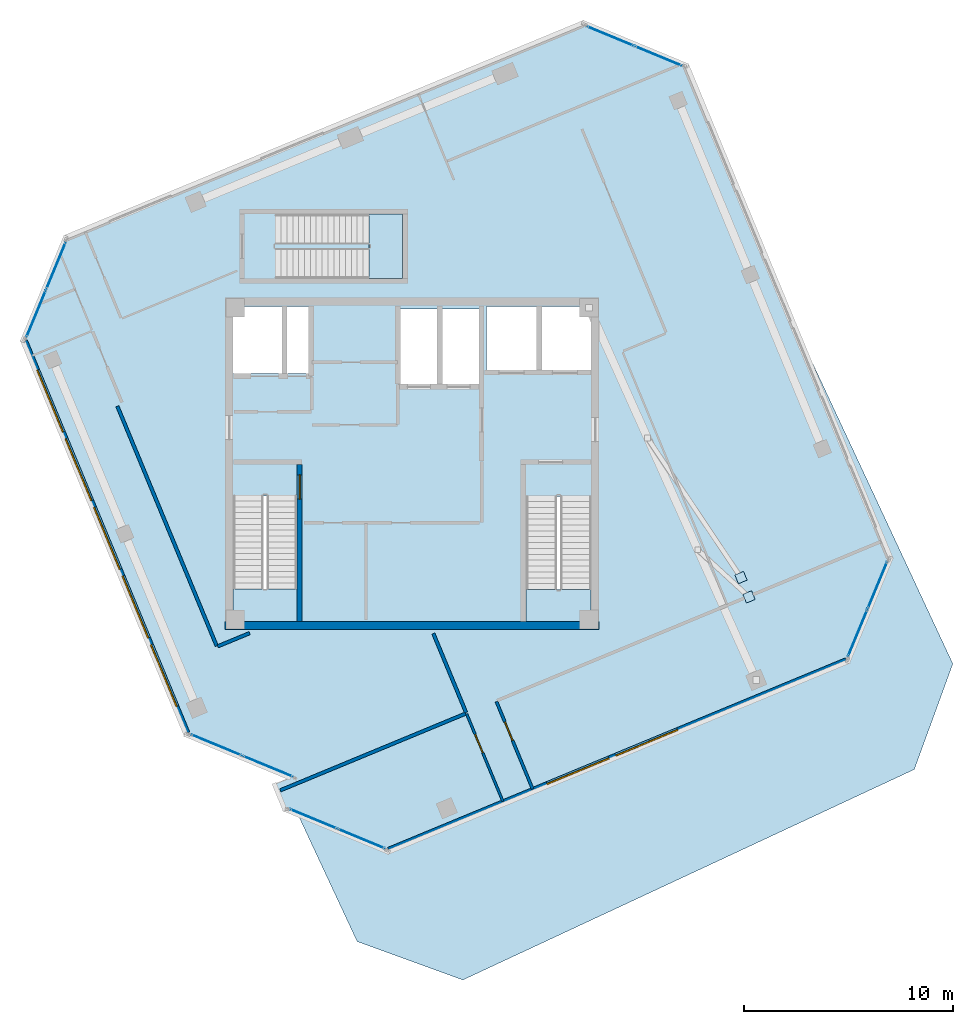
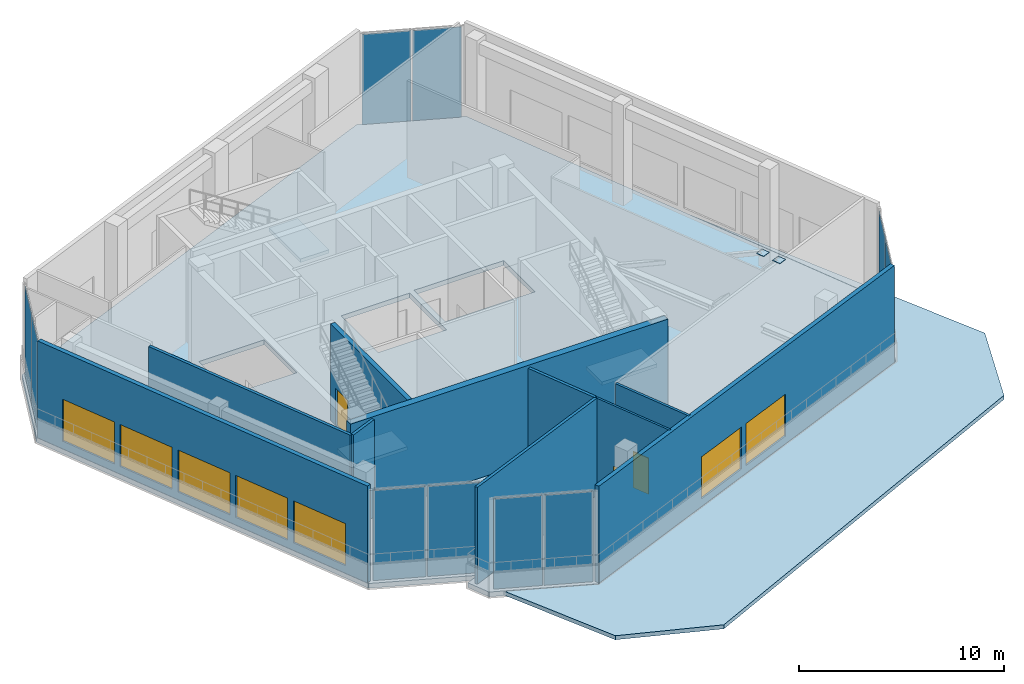
# One storey, part 7 of 16: 12 plates, 10 walls, 7 windows, 5 slabs, 3 doors, 10 openings, 8 elements without a shape of their own.
"""IFC4 building model written with IfcOpenShell, lengths in metres."""

from ifc_helpers import new_model, si_unit, direction, frame, frame_2d, origin, origin_2d, place, context, subcontext, project, spatial, polyline, rectangle, outline, extrude, source, transform, mapped, material, layer, layer_set, type_object, element, fill, aggregate, save


model = new_model("IFC4")

# Units and contexts
model_context = context("Model", 3, precision=1e-05, world=origin(), true_north=direction((0.0, 1.0)))
body_context = subcontext(model_context, "Body", "Model", "MODEL_VIEW")
ifc_project = project(units=[si_unit("LENGTHUNIT", "METRE"), si_unit("AREAUNIT", "SQUARE_METRE"), si_unit("VOLUMEUNIT", "CUBIC_METRE"), si_unit("PLANEANGLEUNIT", "RADIAN"), si_unit("MASSUNIT", "GRAM", prefix="KILO")], contexts=[model_context])

# Site, building, storey
site_placement = place(None, origin())
site = spatial("IfcSite", under=ifc_project, at=site_placement, CompositionType="ELEMENT")
building_placement = place(site_placement, origin())
building = spatial("IfcBuilding", under=site, at=building_placement, Name="Torre Montelarca", CompositionType="ELEMENT")
storey_placement = place(building_placement, frame((0.0, 0.0, 349.199951171875)))
storey = spatial("IfcBuildingStorey", under=building, at=storey_placement, Name="L79", CompositionType="ELEMENT", Elevation=349.199951171875)

# Slabs
ifc_material_1 = material(Name="Concrete C40/50", Category="concrete")
ifc_layer_1 = layer(ifc_material_1, 0.280029296875, Name="Concrete C40/50", Category="concrete")
ifc_layer_set_1 = layer_set([ifc_layer_1], Name="Concrete C40/50")
slab_type_1 = type_object("IfcSlabType", Name="SL-FLR-280", PredefinedType="FLOOR", material=ifc_layer_set_1)
slab_1_placement = place(storey_placement, frame((0.0, 0.0, -0.280029296875)))
element("IfcSlab", 1, at=slab_1_placement, inside=storey, type_object=slab_type_1, Name="L79 Structural Floor Slab", PredefinedType="FLOOR", context=body_context, shape_type="SweptSolid", body=[
    extrude(outline(polyline([(7.1728515625, 19.02978515625), (12.1376953125, 16.973388671875), (11.398681640625, 16.667236328125), (11.896240234375, 15.46630859375), (16.861083984375, 13.40966796875), (38.849365234375, 22.517578125), (40.906005859375, 27.482421875), (31.1474609375, 51.04150390625), (26.1826171875, 53.097900390625), (1.422607421875, 42.842041015625), (-0.6337890625, 37.877197265625), (7.1728515625, 19.02978515625)]), holes=[polyline([(26.550048828125, 24.449951171875), (23.43994140625, 24.449951171875), (23.43994140625, 30.429931640625), (26.550048828125, 30.429931640625), (26.550048828125, 24.449951171875)]), polyline([(12.5, 24.449951171875), (9.449951171875, 24.449951171875), (9.449951171875, 30.4599609375), (12.5, 30.4599609375), (12.5, 24.449951171875)]), polyline([(21.25, 39.39990234375), (21.25, 35.800048828125), (17.39990234375, 35.800048828125), (17.39990234375, 39.39990234375), (21.25, 39.39990234375)]), polyline([(13.1201171875, 36.300048828125), (9.449951171875, 36.300048828125), (9.449951171875, 39.5), (13.1201171875, 39.5), (13.1201171875, 36.300048828125)]), polyline([(26.60009765625, 36.449951171875), (21.550048828125, 36.449951171875), (21.550048828125, 39.5), (26.60009765625, 39.5), (26.60009765625, 36.449951171875)])]), origin(), (0.0, 0.0, 1.0), 0.280029296875),
])
ifc_material_2 = material(Name="Architectural concrete C40/50", Category="concrete")
ifc_layer_2 = layer(ifc_material_2, 0.239990234375, Name="Architectural concrete C40/50", Category="concrete")
ifc_layer_set_2 = layer_set([ifc_layer_2], Name="Architectural concrete C40/50")
slab_type_2 = type_object("IfcSlabType", Name="SL-ROOF-EXT-240", PredefinedType="ROOF", material=ifc_layer_set_2)
slab_2_placement = place(storey_placement, frame((0.0, 0.0, -0.239990234375)))
element("IfcSlab", 2, at=slab_2_placement, inside=storey, type_object=slab_type_2, Name="L78 Setback and Tray Overhang Roof Cap Slab 01", PredefinedType="ROOF", context=body_context, shape_type="SweptSolid", body=[
    extrude(outline(polyline([(40.914794921875, 27.482421875), (38.85546875, 22.511474609375), (16.861083984375, 13.40087890625), (12.5732421875, 15.177001953125), (15.37353515625, 9.172119140625), (20.42333984375, 7.333984375), (41.99365234375, 17.392333984375), (43.83154296875, 22.442138671875), (36.408935546875, 38.360107421875), (40.914794921875, 27.482421875)])), origin(), (0.0, 0.0, 1.0), 0.239990234375),
])

# Stair, slab
stair_type_1 = type_object("IfcStairType", Name="ST-CORE-ST1", PredefinedType="HALF_TURN_STAIR", material=ifc_material_1)
stair_1_placement = place(storey_placement, origin())
stair_1 = element("IfcStair", 3, at=stair_1_placement, inside=storey, type_object=stair_type_1, Name="L79 Protected Exit Stair ST1", PredefinedType="HALF_TURN_STAIR")
ifc_layer_3 = layer(ifc_material_1, 0.199951171875, Name="Concrete C40/50", Category="concrete")
ifc_layer_set_3 = layer_set([ifc_layer_3], Name="Concrete C40/50")
slab_type_3 = type_object("IfcSlabType", Name="SL-ST-LAND-ST1", PredefinedType="LANDING", material=ifc_layer_set_3)
slab_3_placement = place(storey_placement, frame((0.0, 0.0, 2.800048828125)))
slab_3 = element("IfcSlab", 4, at=slab_3_placement, type_object=slab_type_3, Name="ST1 landing 1", PredefinedType="LANDING", context=body_context, shape_type="SweptSolid", body=[
    extrude(outline(polyline([(9.449951171875, 26.02001953125), (9.449951171875, 24.449951171875), (12.5, 24.449951171875), (12.5, 26.02001953125), (9.449951171875, 26.02001953125)])), origin(), (0.0, 0.0, 1.0), 0.199951171875),
])
aggregate(stair_1, [slab_3])

stair_type_2 = type_object("IfcStairType", Name="ST-CORE-ST2", PredefinedType="HALF_TURN_STAIR", material=ifc_material_1)
stair_2_placement = place(storey_placement, origin())
stair_2 = element("IfcStair", 5, at=stair_2_placement, inside=storey, type_object=stair_type_2, Name="L79 Protected Exit Stair ST2", PredefinedType="HALF_TURN_STAIR")
ifc_layer_4 = layer(ifc_material_1, 0.199951171875, Name="Concrete C40/50", Category="concrete")
ifc_layer_set_4 = layer_set([ifc_layer_4], Name="Concrete C40/50")
slab_type_4 = type_object("IfcSlabType", Name="SL-ST-LAND-ST2", PredefinedType="LANDING", material=ifc_layer_set_4)
slab_4_placement = place(storey_placement, frame((0.0, 0.0, 2.800048828125)))
slab_4 = element("IfcSlab", 6, at=slab_4_placement, type_object=slab_type_4, Name="ST2 landing 1", PredefinedType="LANDING", context=body_context, shape_type="SweptSolid", body=[
    extrude(outline(polyline([(23.43994140625, 25.989990234375), (23.43994140625, 24.449951171875), (26.550048828125, 24.449951171875), (26.550048828125, 25.989990234375), (23.43994140625, 25.989990234375)])), origin(), (0.0, 0.0, 1.0), 0.199951171875),
])
aggregate(stair_2, [slab_4])

stair_type_3 = type_object("IfcStairType", Name="ST-CORE-ST5", PredefinedType="HALF_TURN_STAIR", material=ifc_material_1)
stair_3_placement = place(storey_placement, origin())
stair_3 = element("IfcStair", 7, at=stair_3_placement, inside=storey, type_object=stair_type_3, Name="L79 Crown Observatory Feature Stair ST5", PredefinedType="HALF_TURN_STAIR")
ifc_layer_5 = layer(ifc_material_1, 0.199951171875, Name="Concrete C40/50", Category="concrete")
ifc_layer_set_5 = layer_set([ifc_layer_5], Name="Concrete C40/50")
slab_type_5 = type_object("IfcSlabType", Name="SL-ST-LAND-ST5", PredefinedType="LANDING", material=ifc_layer_set_5)
slab_5_placement = place(storey_placement, frame((0.0, 0.0, 2.800048828125)))
slab_5 = element("IfcSlab", 8, at=slab_5_placement, type_object=slab_type_5, Name="ST5 landing 1", PredefinedType="LANDING", context=body_context, shape_type="SweptSolid", body=[
    extrude(outline(polyline([(15.93994140625, 40.85009765625), (17.550048828125, 40.85009765625), (17.550048828125, 43.919921875), (15.93994140625, 43.919921875), (15.93994140625, 40.85009765625)])), origin(), (0.0, 0.0, 1.0), 0.199951171875),
])
aggregate(stair_3, [slab_5])

# Plates
ifc_material_3 = material(Name="Steel ASTM A572 Grade 50", Category="steel")
ifc_layer_6 = layer(ifc_material_3, 0.02392578125, Name="Steel ASTM A572 Grade 50", Category="steel")
ifc_layer_set_6 = layer_set([ifc_layer_6], Name="Steel ASTM A572 Grade 50")
plate_type_1 = type_object("IfcPlateType", Name="PL-GUSSET-24", PredefinedType="SHEET", material=ifc_layer_set_6)
shared_shape_1 = source(origin(), body_context, "Body", "SweptSolid", [
    extrude(rectangle(XDim=0.449951171875, YDim=0.449951171875, at=origin_2d()), origin(), (0.0, 0.0, 1.0), 0.02392578125),
])
for number, where, z_axis, x_axis, name in (
    (9, (33.711669921875, 26.55908203125, 5.80810546875), (0.0, 0.0, 1.0), (-0.382683432365, 0.923879532511, 0.0), "L79 Tuned Mass Damper Strut Cap Plate 1"),
    (10, (34.094482421875, 25.63525390625, 5.80810546875), (0.0, 0.0, 1.0), (-0.382683432365, 0.923879532511, 0.0), "L79 Tuned Mass Damper Strut Cap Plate 2"),
):
    element("IfcPlate", number, at=place(storey_placement, frame(where, z_axis=z_axis, x_axis=x_axis)), inside=storey, type_object=plate_type_1, Name=name, PredefinedType="SHEET", context=body_context, shape_type="MappedRepresentation", body=[
        mapped(shared_shape_1, transform((0.0, 0.0, 0.0), scale=1.0)),
    ])

# Curtain wall, plates
ifc_material_4 = material(Name="Amber translucent laminated glass", Category="glass")
curtain_wall_type = type_object("IfcCurtainWallType", Name="CW-SYS-LANT", PredefinedType="USERDEFINED", material=ifc_material_4)
curtain_wall_1_placement = place(storey_placement, origin())
curtain_wall_1 = element("IfcCurtainWall", 11, at=curtain_wall_1_placement, inside=storey, type_object=curtain_wall_type, Name="L79 Curtain Wall Run CW-T3-L79-E02-B1", ObjectType="TRANSLUCENT LANTERN", PredefinedType="USERDEFINED")
ifc_layer_7 = layer(ifc_material_4, 0.0400390625, Name="Amber translucent laminated glass", Category="glass")
ifc_layer_set_7 = layer_set([ifc_layer_7], Name="Amber translucent laminated glass")
plate_type_2 = type_object("IfcPlateType", Name="CWP-LANT-40", PredefinedType="CURTAIN_PANEL", material=ifc_layer_set_7)
shared_shape_2 = source(origin(), body_context, "Body", "SweptSolid", [
    extrude(rectangle(XDim=2.5849609375, YDim=0.0400390625, at=origin_2d()), origin(), (0.0, 0.0, 1.0), 5.3701171875),
])
plate_1_placement = place(storey_placement, frame((8.643798828125, 18.561279296875, 0.074951171875), z_axis=(0.0, 0.0, 1.0), x_axis=(0.923887520149, -0.382664147931, 0.0)))
plate_1 = element("IfcPlate", 12, at=plate_1_placement, type_object=plate_type_2, Name="CW panel 1.1", PredefinedType="CURTAIN_PANEL", context=body_context, shape_type="MappedRepresentation", body=[
    mapped(shared_shape_2, transform((0.0, 0.0, 0.0), scale=1.0)),
])
plate_2_placement = place(storey_placement, frame((11.10595703125, 17.54150390625, 0.074951171875), z_axis=(0.0, 0.0, 1.0), x_axis=(0.923887520149, -0.382664147931, 0.0)))
plate_2 = element("IfcPlate", 13, at=plate_2_placement, type_object=plate_type_2, Name="CW panel 2.1", PredefinedType="CURTAIN_PANEL", context=body_context, shape_type="MappedRepresentation", body=[
    mapped(shared_shape_2, transform((0.0, 0.0, 0.0), scale=1.0)),
])
aggregate(curtain_wall_1, [plate_1, plate_2])

curtain_wall_2_placement = place(storey_placement, origin())
curtain_wall_2 = element("IfcCurtainWall", 14, at=curtain_wall_2_placement, inside=storey, type_object=curtain_wall_type, Name="L79 Curtain Wall Run CW-T3-L79-E05-B1", ObjectType="TRANSLUCENT LANTERN", PredefinedType="USERDEFINED")
shared_shape_3 = source(origin(), body_context, "Body", "SweptSolid", [
    extrude(rectangle(XDim=2.401123046875, YDim=0.0400390625, at=origin_2d()), origin(), (0.0, 0.0, 1.0), 5.3701171875),
])
plate_3_placement = place(storey_placement, frame((13.2822265625, 15.03271484375, 0.074951171875), z_axis=(0.0, 0.0, 1.0), x_axis=(0.923884613184, -0.382671166306, 0.0)))
plate_3 = element("IfcPlate", 15, at=plate_3_placement, type_object=plate_type_2, Name="CW panel 1.1", PredefinedType="CURTAIN_PANEL", context=body_context, shape_type="MappedRepresentation", body=[
    mapped(shared_shape_3, transform((0.0, 0.0, 0.0), scale=1.0)),
])
plate_4_placement = place(storey_placement, frame((15.574462890625, 14.083251953125, 0.074951171875), z_axis=(0.0, 0.0, 1.0), x_axis=(0.923884613184, -0.382671166306, 0.0)))
plate_4 = element("IfcPlate", 16, at=plate_4_placement, type_object=plate_type_2, Name="CW panel 2.1", PredefinedType="CURTAIN_PANEL", context=body_context, shape_type="MappedRepresentation", body=[
    mapped(shared_shape_3, transform((0.0, 0.0, 0.0), scale=1.0)),
])
aggregate(curtain_wall_2, [plate_3, plate_4])

curtain_wall_3_placement = place(storey_placement, origin())
curtain_wall_3 = element("IfcCurtainWall", 17, at=curtain_wall_3_placement, inside=storey, type_object=curtain_wall_type, Name="L79 Curtain Wall Run CW-T3-L79-E07-B1", ObjectType="TRANSLUCENT LANTERN", PredefinedType="USERDEFINED")
plate_5_placement = place(storey_placement, frame((39.282958984375, 23.903564453125, 0.074951171875), z_axis=(0.0, 0.0, 1.0), x_axis=(0.382681082731, 0.923880505758, 0.0)))
plate_5 = element("IfcPlate", 18, at=plate_5_placement, type_object=plate_type_2, Name="CW panel 1.1", PredefinedType="CURTAIN_PANEL", context=body_context, shape_type="MappedRepresentation", body=[
    mapped(shared_shape_3, transform((0.0, 0.0, 0.0), scale=1.0)),
])
plate_6_placement = place(storey_placement, frame((40.232421875, 26.19580078125, 0.074951171875), z_axis=(0.0, 0.0, 1.0), x_axis=(0.382681082731, 0.923880505758, 0.0)))
plate_6 = element("IfcPlate", 19, at=plate_6_placement, type_object=plate_type_2, Name="CW panel 2.1", PredefinedType="CURTAIN_PANEL", context=body_context, shape_type="MappedRepresentation", body=[
    mapped(shared_shape_3, transform((0.0, 0.0, 0.0), scale=1.0)),
])
aggregate(curtain_wall_3, [plate_5, plate_6])

curtain_wall_4_placement = place(storey_placement, origin())
curtain_wall_4 = element("IfcCurtainWall", 20, at=curtain_wall_4_placement, inside=storey, type_object=curtain_wall_type, Name="L79 Curtain Wall Run CW-T3-L79-E09-B1", ObjectType="TRANSLUCENT LANTERN", PredefinedType="USERDEFINED")
plate_7_placement = place(storey_placement, frame((29.761474609375, 51.474853515625, 0.074951171875), z_axis=(0.0, 0.0, 1.0), x_axis=(-0.923884613184, 0.382671166306, 0.0)))
plate_7 = element("IfcPlate", 21, at=plate_7_placement, type_object=plate_type_2, Name="CW panel 1.1", PredefinedType="CURTAIN_PANEL", context=body_context, shape_type="MappedRepresentation", body=[
    mapped(shared_shape_3, transform((0.0, 0.0, 0.0), scale=1.0)),
])
plate_8_placement = place(storey_placement, frame((27.46923828125, 52.42431640625, 0.074951171875), z_axis=(0.0, 0.0, 1.0), x_axis=(-0.923884613184, 0.382671166306, 0.0)))
plate_8 = element("IfcPlate", 22, at=plate_8_placement, type_object=plate_type_2, Name="CW panel 2.1", PredefinedType="CURTAIN_PANEL", context=body_context, shape_type="MappedRepresentation", body=[
    mapped(shared_shape_3, transform((0.0, 0.0, 0.0), scale=1.0)),
])
aggregate(curtain_wall_4, [plate_7, plate_8])

curtain_wall_5_placement = place(storey_placement, origin())
curtain_wall_5 = element("IfcCurtainWall", 23, at=curtain_wall_5_placement, inside=storey, type_object=curtain_wall_type, Name="L79 Curtain Wall Run CW-T3-L79-E11-B1", ObjectType="TRANSLUCENT LANTERN", PredefinedType="USERDEFINED")
plate_9_placement = place(storey_placement, frame((0.9892578125, 41.455810546875, 0.074951171875), z_axis=(0.0, 0.0, 1.0), x_axis=(-0.382671166306, -0.923884613184, 0.0)))
plate_9 = element("IfcPlate", 24, at=plate_9_placement, type_object=plate_type_2, Name="CW panel 1.1", PredefinedType="CURTAIN_PANEL", context=body_context, shape_type="MappedRepresentation", body=[
    mapped(shared_shape_3, transform((0.0, 0.0, 0.0), scale=1.0)),
])
plate_10_placement = place(storey_placement, frame((0.039794921875, 39.16357421875, 0.074951171875), z_axis=(0.0, 0.0, 1.0), x_axis=(-0.382671166306, -0.923884613184, 0.0)))
plate_10 = element("IfcPlate", 25, at=plate_10_placement, type_object=plate_type_2, Name="CW panel 2.1", PredefinedType="CURTAIN_PANEL", context=body_context, shape_type="MappedRepresentation", body=[
    mapped(shared_shape_3, transform((0.0, 0.0, 0.0), scale=1.0)),
])
aggregate(curtain_wall_5, [plate_9, plate_10])

# Wall, opening, door
ifc_layer_8 = layer(ifc_material_1, 0.25, Name="Concrete C40/50", Category="concrete")
ifc_layer_set_8 = layer_set([ifc_layer_8], Name="Concrete C40/50")
wall_type_1 = type_object("IfcWallType", Name="CW-SHAFT-250", PredefinedType="SHEAR", material=ifc_layer_set_8)
wall_1_placement = place(storey_placement, frame((12.625, 24.4599609375, 0.0), z_axis=(0.0, 0.0, 1.0), x_axis=(0.0, 1.0, 0.0)))
wall_1 = element("IfcWall", 26, at=wall_1_placement, inside=storey, type_object=wall_type_1, Name="L79 Core Shear Wall SH-ST1-E", PredefinedType="SHEAR", context=body_context, shape_type="SweptSolid", body=[
    extrude(rectangle(XDim=7.489990234375, YDim=0.25, at=frame_2d((3.7451171875, 0.0))), origin(), (0.0, 0.0, 1.0), 5.760009765625),
])
opening_1_placement = place(wall_1_placement, frame((5.85009765625, 0.0, 0.0)))
opening_1 = element("IfcOpeningElement", 27, at=opening_1_placement, cuts=wall_1, Name="Opening FD-ST1", PredefinedType="OPENING", context=body_context, shape_type="SweptSolid", body=[
    extrude(rectangle(XDim=1.14990234375, YDim=2.199951171875, at=frame_2d((0.574951171875, 1.10009765625))), frame((0.0, 0.135009765625, 0.0), z_axis=(0.0, -1.0, 0.0), x_axis=(1.0, 0.0, 0.0)), (0.0, 0.0, 1.0), 0.27001953125),
])
ifc_material_5 = material(Name="Galvanized steel fire door", Category="steel")
door_type_1 = type_object("IfcDoorType", Name="DR-STAIR-115", OperationType="NOTDEFINED", PredefinedType="DOOR", material=ifc_material_5)
shared_shape_4 = source(origin(), body_context, "Body", "SweptSolid", [
    extrude(rectangle(XDim=1.14990234375, YDim=2.199951171875, at=frame_2d((0.574951171875, 1.10009765625))), frame((0.0, 0.02490234375, 0.0), z_axis=(0.0, -1.0, 0.0), x_axis=(1.0, 0.0, 0.0)), (0.0, 0.0, 1.0), 0.050048828125),
])
door_1_placement = place(opening_1_placement, origin())
door_1 = element("IfcDoor", 28, at=door_1_placement, inside=storey, type_object=door_type_1, Name="L79 Exit Stair ST1 Fire Door", OperationType="SINGLE_SWING_RIGHT", OverallHeight=2.199951171875, OverallWidth=1.14990234375, PredefinedType="DOOR", context=body_context, shape_type="MappedRepresentation", body=[
    mapped(shared_shape_4, transform((0.0, 0.0, 0.0), scale=1.0)),
])
fill(opening_1, door_1)

# Wall
ifc_layer_9 = layer(ifc_material_1, 0.3798828125, Name="Concrete C40/50", Category="concrete")
ifc_layer_set_9 = layer_set([ifc_layer_9], Name="Concrete C40/50")
wall_type_2 = type_object("IfcWallType", Name="CW-SHEAR-380", PredefinedType="SHEAR", material=ifc_layer_set_9)
wall_2_placement = place(storey_placement, frame((9.070068359375, 24.260009765625, 0.0), z_axis=(0.0, 0.0, 1.0), x_axis=(1.0, 0.0, 0.0)))
element("IfcWall", 29, at=wall_2_placement, inside=storey, type_object=wall_type_2, Name="L79 Core Shear Wall CW-S1", PredefinedType="SHEAR", context=body_context, shape_type="SweptSolid", body=[
    extrude(rectangle(XDim=17.85986328125, YDim=0.3798828125, at=frame_2d((8.929931640625, 0.0))), origin(), (0.0, 0.0, 1.0), 5.760009765625),
])

# Wall, openings, windows
ifc_material_6 = material(Name="Architectural perforated terracotta ceramic", Category="masonry")
ifc_layer_10 = layer(ifc_material_6, 0.239990234375, Name="Architectural perforated terracotta ceramic", Category="masonry")
ifc_layer_set_10 = layer_set([ifc_layer_10], Name="Architectural perforated terracotta ceramic")
wall_type_3 = type_object("IfcWallType", Name="EW-CROWN-240", PredefinedType="SOLIDWALL", material=ifc_layer_set_10)
wall_3_placement = place(storey_placement, frame((-0.488525390625, 37.865966796875, 0.0), z_axis=(0.0, 0.0, 1.0), x_axis=(0.382671297852, -0.923884558698, 0.0)))
wall_3 = element("IfcWall", 30, at=wall_3_placement, inside=storey, type_object=wall_type_3, Name="L79 Illuminated Damper Gallery Lantern Wall E01", PredefinedType="SOLIDWALL", context=body_context, shape_type="SweptSolid", body=[
    extrude(rectangle(XDim=20.268310546875, YDim=0.239990234375, at=frame_2d((10.13427734375, 0.0))), origin(), (0.0, 0.0, 1.0), 5.760009765625),
])
opening_2_placement = place(wall_3_placement, frame((1.513916015625, 0.0, 0.449951171875)))
opening_2 = element("IfcOpeningElement", 31, at=opening_2_placement, cuts=wall_3, Name="Opening W-07", PredefinedType="OPENING", context=body_context, shape_type="SweptSolid", body=[
    extrude(rectangle(XDim=3.199951171875, YDim=2.5, at=frame_2d((1.60009765625, 1.25))), frame((0.0, 0.1298828125, 0.0), z_axis=(0.0, -1.0, 0.0), x_axis=(1.0, 0.0, 0.0)), (0.0, 0.0, 1.0), 0.260009765625),
])
opening_3_placement = place(wall_3_placement, frame((5.06396484375, 0.0, 0.449951171875)))
opening_3 = element("IfcOpeningElement", 32, at=opening_3_placement, cuts=wall_3, Name="Opening W-07", PredefinedType="OPENING", context=body_context, shape_type="SweptSolid", body=[
    extrude(rectangle(XDim=3.199951171875, YDim=2.5, at=frame_2d((1.60009765625, 1.25))), frame((0.0, 0.1298828125, 0.0), z_axis=(0.0, -1.0, 0.0), x_axis=(1.0, 0.0, 0.0)), (0.0, 0.0, 1.0), 0.260009765625),
])
opening_4_placement = place(wall_3_placement, frame((8.614013671875, 0.0, 0.449951171875)))
opening_4 = element("IfcOpeningElement", 33, at=opening_4_placement, cuts=wall_3, Name="Opening W-07", PredefinedType="OPENING", context=body_context, shape_type="SweptSolid", body=[
    extrude(rectangle(XDim=3.199951171875, YDim=2.5, at=frame_2d((1.60009765625, 1.25))), frame((0.0, 0.1298828125, 0.0), z_axis=(0.0, -1.0, 0.0), x_axis=(1.0, 0.0, 0.0)), (0.0, 0.0, 1.0), 0.260009765625),
])
opening_5_placement = place(wall_3_placement, frame((12.1640625, 0.0, 0.449951171875)))
opening_5 = element("IfcOpeningElement", 34, at=opening_5_placement, cuts=wall_3, Name="Opening W-07", PredefinedType="OPENING", context=body_context, shape_type="SweptSolid", body=[
    extrude(rectangle(XDim=3.199951171875, YDim=2.5, at=frame_2d((1.60009765625, 1.25))), frame((0.0, 0.1298828125, 0.0), z_axis=(0.0, -1.0, 0.0), x_axis=(1.0, 0.0, 0.0)), (0.0, 0.0, 1.0), 0.260009765625),
])
opening_6_placement = place(wall_3_placement, frame((15.714111328125, 0.0, 0.449951171875)))
opening_6 = element("IfcOpeningElement", 35, at=opening_6_placement, cuts=wall_3, Name="Opening W-07", PredefinedType="OPENING", context=body_context, shape_type="SweptSolid", body=[
    extrude(rectangle(XDim=3.199951171875, YDim=2.5, at=frame_2d((1.60009765625, 1.25))), frame((0.0, 0.1298828125, 0.0), z_axis=(0.0, -1.0, 0.0), x_axis=(1.0, 0.0, 0.0)), (0.0, 0.0, 1.0), 0.260009765625),
])
ifc_material_7 = material(Name="Insulated low-E laminated glass in aluminium frame", Category="aluminium")
window_type = type_object("IfcWindowType", Name="WIN-W07", PartitioningType="TRIPLE_PANEL_VERTICAL", PredefinedType="WINDOW", material=ifc_material_7)
shared_shape_5 = source(origin(), body_context, "Body", "SweptSolid", [
    extrude(rectangle(XDim=3.199951171875, YDim=2.5, at=frame_2d((1.60009765625, 1.25))), frame((0.0, 0.030029296875, 0.0), z_axis=(0.0, -1.0, 0.0), x_axis=(1.0, 0.0, 0.0)), (0.0, 0.0, 1.0), 0.06005859375),
])
window_1_placement = place(opening_2_placement, origin())
window_1 = element("IfcWindow", 36, at=window_1_placement, inside=storey, type_object=window_type, Name="L79 Glowing Damper Lantern Ribbon Window E01-1", OverallHeight=2.5, OverallWidth=3.199951171875, PartitioningType="TRIPLE_PANEL_VERTICAL", PredefinedType="WINDOW", context=body_context, shape_type="MappedRepresentation", body=[
    mapped(shared_shape_5, transform((0.0, 0.0, 0.0), scale=1.0)),
])
fill(opening_2, window_1)
window_2_placement = place(opening_3_placement, origin())
window_2 = element("IfcWindow", 37, at=window_2_placement, inside=storey, type_object=window_type, Name="L79 Glowing Damper Lantern Ribbon Window E01-2", OverallHeight=2.5, OverallWidth=3.199951171875, PartitioningType="TRIPLE_PANEL_VERTICAL", PredefinedType="WINDOW", context=body_context, shape_type="MappedRepresentation", body=[
    mapped(shared_shape_5, transform((0.0, 0.0, 0.0), scale=1.0)),
])
fill(opening_3, window_2)
window_3_placement = place(opening_4_placement, origin())
window_3 = element("IfcWindow", 38, at=window_3_placement, inside=storey, type_object=window_type, Name="L79 Glowing Damper Lantern Ribbon Window E01-3", OverallHeight=2.5, OverallWidth=3.199951171875, PartitioningType="TRIPLE_PANEL_VERTICAL", PredefinedType="WINDOW", context=body_context, shape_type="MappedRepresentation", body=[
    mapped(shared_shape_5, transform((0.0, 0.0, 0.0), scale=1.0)),
])
fill(opening_4, window_3)
window_4_placement = place(opening_5_placement, origin())
window_4 = element("IfcWindow", 39, at=window_4_placement, inside=storey, type_object=window_type, Name="L79 Glowing Damper Lantern Ribbon Window E01-4", OverallHeight=2.5, OverallWidth=3.199951171875, PartitioningType="TRIPLE_PANEL_VERTICAL", PredefinedType="WINDOW", context=body_context, shape_type="MappedRepresentation", body=[
    mapped(shared_shape_5, transform((0.0, 0.0, 0.0), scale=1.0)),
])
fill(opening_5, window_4)
window_5_placement = place(opening_6_placement, origin())
window_5 = element("IfcWindow", 40, at=window_5_placement, inside=storey, type_object=window_type, Name="L79 Glowing Damper Lantern Ribbon Window E01-5", OverallHeight=2.5, OverallWidth=3.199951171875, PartitioningType="TRIPLE_PANEL_VERTICAL", PredefinedType="WINDOW", context=body_context, shape_type="MappedRepresentation", body=[
    mapped(shared_shape_5, transform((0.0, 0.0, 0.0), scale=1.0)),
])
fill(opening_6, window_5)

wall_4_placement = place(storey_placement, frame((16.872314453125, 13.554931640625, 0.0), z_axis=(0.0, 0.0, 1.0), x_axis=(0.923879670053, 0.38268310031, 0.0)))
wall_4 = element("IfcWall", 41, at=wall_4_placement, inside=storey, type_object=wall_type_3, Name="L79 Illuminated Damper Gallery Lantern Wall E06", PredefinedType="SOLIDWALL", context=body_context, shape_type="SweptSolid", body=[
    extrude(rectangle(XDim=23.66796875, YDim=0.239990234375, at=frame_2d((11.833984375, 0.0))), origin(), (0.0, 0.0, 1.0), 5.760009765625),
])
opening_7_placement = place(wall_4_placement, frame((8.2041015625, 0.0, 0.449951171875)))
opening_7 = element("IfcOpeningElement", 42, at=opening_7_placement, cuts=wall_4, Name="Opening W-07", PredefinedType="OPENING", context=body_context, shape_type="SweptSolid", body=[
    extrude(rectangle(XDim=3.199951171875, YDim=2.5, at=frame_2d((1.60009765625, 1.25))), frame((0.0, 0.1298828125, 0.0), z_axis=(0.0, -1.0, 0.0), x_axis=(1.0, 0.0, 0.0)), (0.0, 0.0, 1.0), 0.260009765625),
])
opening_8_placement = place(wall_4_placement, frame((11.75390625, 0.0, 0.449951171875)))
opening_8 = element("IfcOpeningElement", 43, at=opening_8_placement, cuts=wall_4, Name="Opening W-07", PredefinedType="OPENING", context=body_context, shape_type="SweptSolid", body=[
    extrude(rectangle(XDim=3.199951171875, YDim=2.5, at=frame_2d((1.60009765625, 1.25))), frame((0.0, 0.1298828125, 0.0), z_axis=(0.0, -1.0, 0.0), x_axis=(1.0, 0.0, 0.0)), (0.0, 0.0, 1.0), 0.260009765625),
])
window_6_placement = place(opening_7_placement, origin())
window_6 = element("IfcWindow", 44, at=window_6_placement, inside=storey, type_object=window_type, Name="L79 Glowing Damper Lantern Ribbon Window E06-1", OverallHeight=2.5, OverallWidth=3.199951171875, PartitioningType="TRIPLE_PANEL_VERTICAL", PredefinedType="WINDOW", context=body_context, shape_type="MappedRepresentation", body=[
    mapped(shared_shape_5, transform((0.0, 0.0, 0.0), scale=1.0)),
])
fill(opening_7, window_6)
window_7_placement = place(opening_8_placement, origin())
window_7 = element("IfcWindow", 45, at=window_7_placement, inside=storey, type_object=window_type, Name="L79 Glowing Damper Lantern Ribbon Window E06-2", OverallHeight=2.5, OverallWidth=3.199951171875, PartitioningType="TRIPLE_PANEL_VERTICAL", PredefinedType="WINDOW", context=body_context, shape_type="MappedRepresentation", body=[
    mapped(shared_shape_5, transform((0.0, 0.0, 0.0), scale=1.0)),
])
fill(opening_8, window_7)

# Walls
ifc_material_8 = material(Name="Gypsum plasterboard on steel stud", Category="steel")
ifc_layer_11 = layer(ifc_material_8, 0.159912109375, Name="Gypsum plasterboard on steel stud", Category="steel")
ifc_layer_set_11 = layer_set([ifc_layer_11], Name="Gypsum plasterboard on steel stud")
wall_type_4 = type_object("IfcWallType", Name="PW-FIRE-160", PredefinedType="PARTITIONING", material=ifc_layer_set_11)
wall_5_placement = place(storey_placement, frame((3.922607421875, 34.7421875, 0.0), z_axis=(0.0, 0.0, 1.0), x_axis=(0.382686508818, -0.923878258197, 0.0)))
element("IfcWall", 46, at=wall_5_placement, inside=storey, type_object=wall_type_4, Name="L79 Interior Partition W-L79-SOCCN2", PredefinedType="PARTITIONING", context=body_context, shape_type="SweptSolid", body=[
    extrude(rectangle(XDim=12.389892578125, YDim=0.159912109375, at=frame_2d((6.19482421875, 0.0))), origin(), (0.0, 0.0, 1.0), 5.760009765625),
])
wall_6_placement = place(storey_placement, frame((8.71630859375, 23.273681640625, 0.0), z_axis=(0.0, 0.0, 1.0), x_axis=(0.92386344226, 0.382722275359, 0.0)))
element("IfcWall", 47, at=wall_6_placement, inside=storey, type_object=wall_type_4, Name="L79 Interior Partition W-L79-SOCCW3", PredefinedType="PARTITIONING", context=body_context, shape_type="SweptSolid", body=[
    extrude(rectangle(XDim=1.64892578125, YDim=0.159912109375, at=frame_2d((0.824462890625, 0.0))), origin(), (0.0, 0.0, 1.0), 5.760009765625),
])
wall_7_placement = place(storey_placement, frame((19.01708984375, 23.883056640625, 0.0), z_axis=(0.0, 0.0, 1.0), x_axis=(0.382749810298, -0.923852035078, 0.0)))
element("IfcWall", 48, at=wall_7_placement, inside=storey, type_object=wall_type_4, Name="L79 Interior Partition W-L79-SOCCN3", PredefinedType="PARTITIONING", context=body_context, shape_type="SweptSolid", body=[
    extrude(rectangle(XDim=4.0810546875, YDim=0.159912109375, at=frame_2d((2.04052734375, 0.0))), origin(), (0.0, 0.0, 1.0), 5.760009765625),
])
wall_8_placement = place(storey_placement, frame((11.70654296875, 16.394287109375, 0.0), z_axis=(0.0, 0.0, 1.0), x_axis=(0.923883895821, 0.382672898233, 0.0)))
element("IfcWall", 49, at=wall_8_placement, inside=storey, type_object=wall_type_4, Name="L79 Interior Partition W-L79-ECS", PredefinedType="PARTITIONING", context=body_context, shape_type="SweptSolid", body=[
    extrude(rectangle(XDim=9.580078125, YDim=0.159912109375, at=frame_2d((4.7900390625, 0.0))), origin(), (0.0, 0.0, 1.0), 5.760009765625),
])

# Wall, opening, door
ifc_layer_12 = layer(ifc_material_8, 0.114990234375, Name="Gypsum plasterboard on steel stud", Category="steel")
ifc_layer_set_12 = layer_set([ifc_layer_12], Name="Gypsum plasterboard on steel stud")
wall_type_5 = type_object("IfcWallType", Name="PW-PART-115", PredefinedType="PARTITIONING", material=ifc_layer_set_12)
wall_9_placement = place(storey_placement, frame((20.609619140625, 20.038818359375, 0.0), z_axis=(0.0, 0.0, 1.0), x_axis=(0.382665741697, -0.923886860028, 0.0)))
wall_9 = element("IfcWall", 50, at=wall_9_placement, inside=storey, type_object=wall_type_5, Name="L79 Interior Partition W-L79-SE-N", PredefinedType="PARTITIONING", context=body_context, shape_type="SweptSolid", body=[
    extrude(rectangle(XDim=4.510009765625, YDim=0.114990234375, at=frame_2d((2.2548828125, 0.0))), origin(), (0.0, 0.0, 1.0), 5.760009765625),
])
opening_9_placement = place(wall_9_placement, frame((1.050048828125, 0.0, 0.0)))
opening_9 = element("IfcOpeningElement", 51, at=opening_9_placement, cuts=wall_9, Name="Opening ID-095", PredefinedType="OPENING", context=body_context, shape_type="SweptSolid", body=[
    extrude(rectangle(XDim=0.949951171875, YDim=2.14990234375, at=frame_2d((0.47509765625, 1.074951171875))), frame((0.0, 0.0673828125, 0.0), z_axis=(0.0, -1.0, 0.0), x_axis=(1.0, 0.0, 0.0)), (0.0, 0.0, 1.0), 0.135009765625),
])
ifc_material_9 = material(Name="Hardwood acoustic timber veneer", Category="wood")
door_type_2 = type_object("IfcDoorType", Name="DR-INT-095", OperationType="NOTDEFINED", PredefinedType="DOOR", material=ifc_material_9)
shared_shape_6 = source(origin(), body_context, "Body", "SweptSolid", [
    extrude(rectangle(XDim=0.949951171875, YDim=2.14990234375, at=frame_2d((0.47509765625, 1.074951171875))), frame((0.0, 0.02490234375, 0.0), z_axis=(0.0, -1.0, 0.0), x_axis=(1.0, 0.0, 0.0)), (0.0, 0.0, 1.0), 0.050048828125),
])
door_2_placement = place(opening_9_placement, origin())
door_2 = element("IfcDoor", 52, at=door_2_placement, inside=storey, type_object=door_type_2, Name="L79 Interior Door 13", OperationType="SINGLE_SWING_LEFT", OverallHeight=2.14990234375, OverallWidth=0.949951171875, PredefinedType="DOOR", context=body_context, shape_type="MappedRepresentation", body=[
    mapped(shared_shape_6, transform((0.0, 0.0, 0.0), scale=1.0)),
])
fill(opening_9, door_2)

ifc_layer_13 = layer(ifc_material_8, 0.135009765625, Name="Gypsum plasterboard on steel stud", Category="steel")
ifc_layer_set_13 = layer_set([ifc_layer_13], Name="Gypsum plasterboard on steel stud")
wall_type_6 = type_object("IfcWallType", Name="PW-PART-135", PredefinedType="PARTITIONING", material=ifc_layer_set_13)
wall_10_placement = place(storey_placement, frame((22.032470703125, 20.6279296875, 0.0), z_axis=(0.0, 0.0, 1.0), x_axis=(0.382684880723, -0.923878932581, 0.0)))
wall_10 = element("IfcWall", 53, at=wall_10_placement, inside=storey, type_object=wall_type_6, Name="L79 Interior Partition W-L79-NE-S", PredefinedType="PARTITIONING", context=body_context, shape_type="SweptSolid", body=[
    extrude(rectangle(XDim=4.509765625, YDim=0.135009765625, at=frame_2d((2.2548828125, 0.0))), origin(), (0.0, 0.0, 1.0), 5.760009765625),
])
opening_10_placement = place(wall_10_placement, frame((1.050048828125, 0.0, 0.0)))
opening_10 = element("IfcOpeningElement", 54, at=opening_10_placement, cuts=wall_10, Name="Opening ID-095", PredefinedType="OPENING", context=body_context, shape_type="SweptSolid", body=[
    extrude(rectangle(XDim=0.949951171875, YDim=2.14990234375, at=frame_2d((0.47509765625, 1.074951171875))), frame((0.0, 0.07763671875, 0.0), z_axis=(0.0, -1.0, 0.0), x_axis=(1.0, 0.0, 0.0)), (0.0, 0.0, 1.0), 0.155029296875),
])
door_3_placement = place(opening_10_placement, origin())
door_3 = element("IfcDoor", 55, at=door_3_placement, inside=storey, type_object=door_type_2, Name="L79 Interior Door 12", OperationType="SINGLE_SWING_LEFT", OverallHeight=2.14990234375, OverallWidth=0.949951171875, PredefinedType="DOOR", context=body_context, shape_type="MappedRepresentation", body=[
    mapped(shared_shape_6, transform((0.0, 0.0, 0.0), scale=1.0)),
])
fill(opening_10, door_3)

save(model, "model.ifc")
